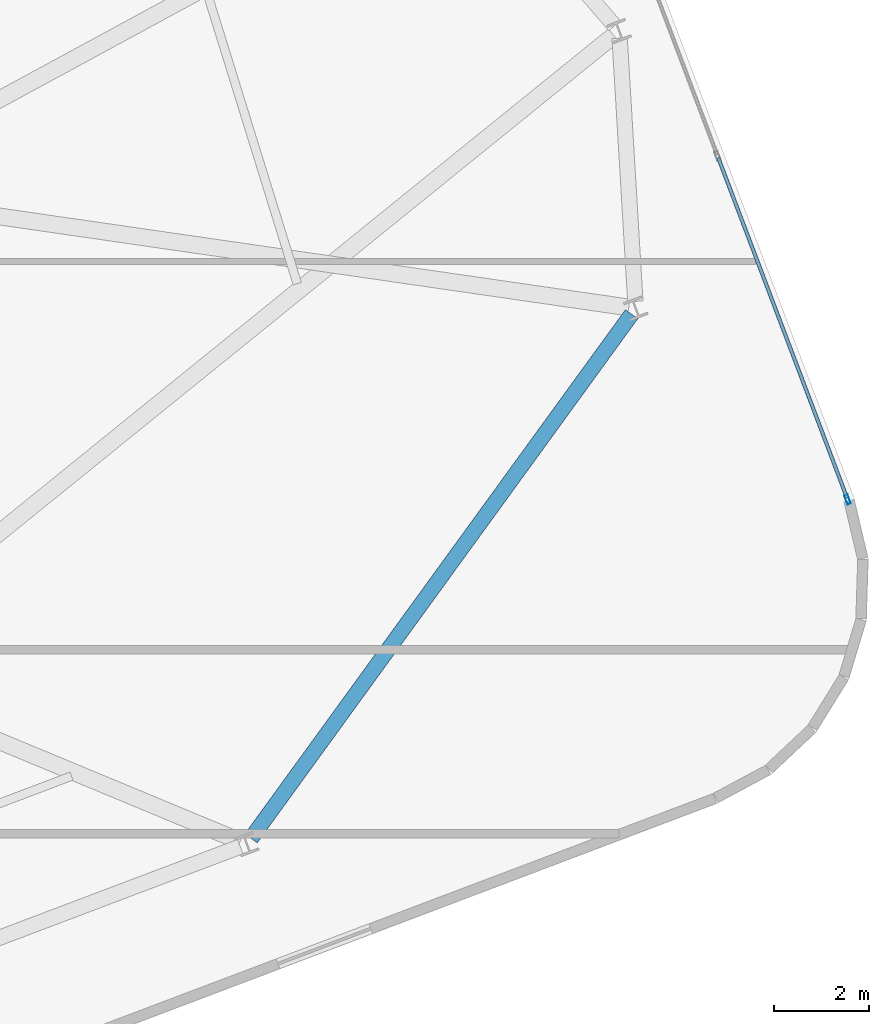
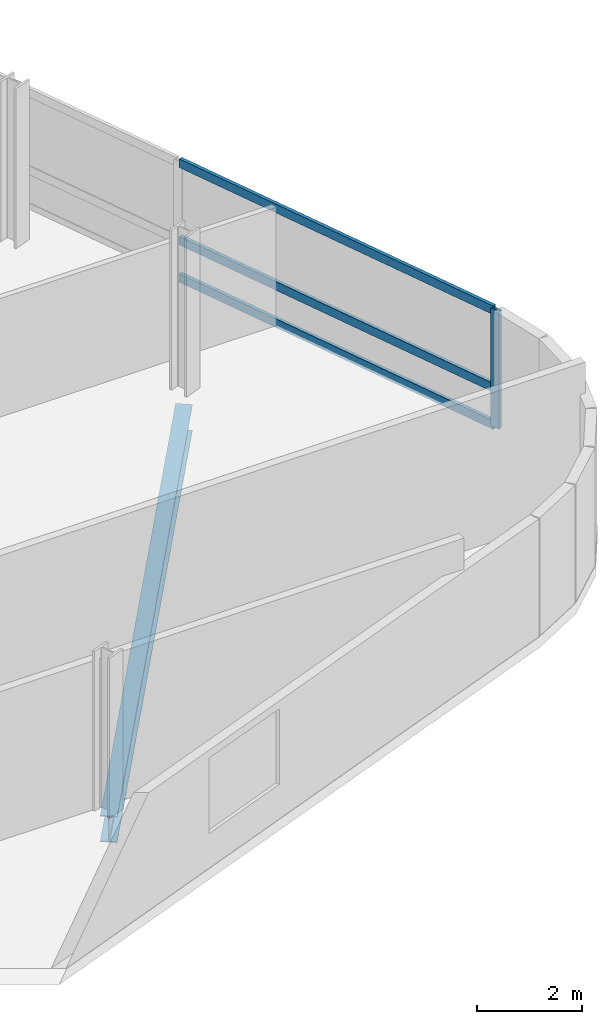
# One storey, part 11 of 19: 4 members, 1 beam, 1 element without a shape of its own.
"""IFC4 building model written with IfcOpenShell, lengths in metres."""

from ifc_helpers import new_model, si_unit, direction, frame, origin, origin_2d, place, context, subcontext, project, spatial, hollow_rectangle, i_section, extrude, material, layer, layer_set, material_profile, profile_set, type_object, element, aggregate, save


model = new_model("IFC4")

# Units and contexts
model_context = context("Model", 3, precision=1e-05, world=origin(), true_north=direction((0.0, 1.0)))
body_context = subcontext(model_context, "Body", "Model", "MODEL_VIEW")
ifc_project = project(units=[si_unit("LENGTHUNIT", "METRE"), si_unit("AREAUNIT", "SQUARE_METRE"), si_unit("VOLUMEUNIT", "CUBIC_METRE"), si_unit("PLANEANGLEUNIT", "RADIAN"), si_unit("MASSUNIT", "GRAM", prefix="KILO")], contexts=[model_context])

# Site, building, storey
site_placement = place(None, origin())
site = spatial("IfcSite", under=ifc_project, at=site_placement, CompositionType="ELEMENT")
building_placement = place(site_placement, origin())
building = spatial("IfcBuilding", under=site, at=building_placement, Name="Varnelok Gate Tower", CompositionType="ELEMENT")
storey_placement = place(building_placement, frame((0.0, 0.0, 231.199951171875)))
storey = spatial("IfcBuildingStorey", under=building, at=storey_placement, Name="L59", CompositionType="ELEMENT", Elevation=231.199951171875)

# Beam
ifc_material_1 = material(Name="Structural Steel ASTM A992 Grade 50", Category="steel")
ifc_material_profile_1 = material_profile(ifc_material_1, i_section(OverallWidth=0.323974609375, OverallDepth=0.611083984375, WebThickness=0.0126953125, FlangeThickness=0.01904296875, FilletRadius=0.01806640625, at=origin_2d()), Name="W24X104")
ifc_profile_set_1 = profile_set([ifc_material_profile_1], Name="Structural Steel ASTM A992 Grade 50")
beam_type = type_object("IfcBeamType", Name="BM-SPN-W24X104", PredefinedType="SPANDREL", material=ifc_profile_set_1)
beam_placement = place(storey_placement, frame((62.92041015625, 15.249755859375, -0.555419921875), z_axis=(0.58754084914, 0.809194507267, 0.0), x_axis=(-0.809194507267, 0.58754084914, 0.0)))
element("IfcBeam", 1, at=beam_placement, inside=storey, type_object=beam_type, Name="L59 Perimeter Spandrel Beam 5", PredefinedType="SPANDREL", context=body_context, shape_type="SweptSolid", body=[
    extrude(i_section(OverallWidth=0.323974609375, OverallDepth=0.611083984375, WebThickness=0.0126953125, FlangeThickness=0.01904296875, FilletRadius=0.01806640625, at=origin_2d()), origin(), (0.0, 0.0, 1.0), 13.695556640625),
])

# Curtain wall, members
ifc_material_2 = material(Name="Anodized Aluminum Alloy 6063-T6", Category="aluminium")
ifc_layer = layer(ifc_material_2, 0.179931640625)
ifc_layer_set = layer_set([ifc_layer], Name="Anodized Aluminum Alloy 6063-T6")
curtain_wall_type = type_object("IfcCurtainWallType", Name="CW4-RESIDENCE-VISION", PredefinedType="USERDEFINED", material=ifc_layer_set)
curtain_wall_placement = place(storey_placement, origin())
curtain_wall = element("IfcCurtainWall", 2, at=curtain_wall_placement, inside=storey, type_object=curtain_wall_type, Name="L59 East End Vision Curtain Wall", ObjectType="UNITISED CURTAIN WALL", PredefinedType="USERDEFINED")
ifc_material_profile_2 = material_profile(ifc_material_2, hollow_rectangle(XDim=0.074951171875, YDim=0.199951171875, WallThickness=0.00390625, at=origin_2d()), Name="ALU200X75X4")
ifc_profile_set_2 = profile_set([ifc_material_profile_2], Name="Anodized Aluminum Alloy 6063-T6")
member_type_1 = type_object("IfcMemberType", Name="CW-MULL-200", PredefinedType="MULLION", material=ifc_profile_set_2)
member_1_placement = place(storey_placement, frame((75.534912109375, 22.41552734375, 0.0), z_axis=(0.0, 0.0, 1.0), x_axis=(0.935221557832, 0.354063042079, 0.0)))
member_1 = element("IfcMember", 3, at=member_1_placement, type_object=member_type_1, Name="CW4 mullion 5", PredefinedType="MULLION", context=body_context, shape_type="SweptSolid", body=[
    extrude(hollow_rectangle(XDim=0.074951171875, YDim=0.199951171875, WallThickness=0.00390625, at=origin_2d()), origin(), (0.0, 0.0, 1.0), 2.72998046875),
])
ifc_material_profile_3 = material_profile(ifc_material_2, hollow_rectangle(XDim=0.074951171875, YDim=0.199951171875, WallThickness=0.00390625, at=origin_2d()), Name="ALU200X75X4")
ifc_profile_set_3 = profile_set([ifc_material_profile_3], Name="Anodized Aluminum Alloy 6063-T6")
member_type_2 = type_object("IfcMemberType", Name="CW-TRAN-200", PredefinedType="USERDEFINED", material=ifc_profile_set_3)
member_2_placement = place(storey_placement, frame((72.7998046875, 29.64013671875, 0.03759765625), z_axis=(0.354062525952, -0.935221753231, 0.0), x_axis=(0.935221753231, 0.354062525952, 0.0)))
member_2 = element("IfcMember", 4, at=member_2_placement, type_object=member_type_2, Name="CW4 transom 4.1", ObjectType="TRANSOM", PredefinedType="USERDEFINED", context=body_context, shape_type="SweptSolid", body=[
    extrude(hollow_rectangle(XDim=0.074951171875, YDim=0.199951171875, WallThickness=0.00390625, at=origin_2d()), origin(), (0.0, 0.0, 1.0), 7.687744140625),
])
member_3_placement = place(storey_placement, frame((72.7998046875, 29.64013671875, 0.900146484375), z_axis=(0.354062525952, -0.935221753231, 0.0), x_axis=(0.935221753231, 0.354062525952, 0.0)))
member_3 = element("IfcMember", 5, at=member_3_placement, type_object=member_type_2, Name="CW4 transom 4.2", ObjectType="TRANSOM", PredefinedType="USERDEFINED", context=body_context, shape_type="SweptSolid", body=[
    extrude(hollow_rectangle(XDim=0.074951171875, YDim=0.199951171875, WallThickness=0.00390625, at=origin_2d()), origin(), (0.0, 0.0, 1.0), 7.687744140625),
])
member_4_placement = place(storey_placement, frame((72.7998046875, 29.64013671875, 2.692626953125), z_axis=(0.354062525952, -0.935221753231, 0.0), x_axis=(0.935221753231, 0.354062525952, 0.0)))
member_4 = element("IfcMember", 6, at=member_4_placement, type_object=member_type_2, Name="CW4 transom 4.3", ObjectType="TRANSOM", PredefinedType="USERDEFINED", context=body_context, shape_type="SweptSolid", body=[
    extrude(hollow_rectangle(XDim=0.074951171875, YDim=0.199951171875, WallThickness=0.00390625, at=origin_2d()), origin(), (0.0, 0.0, 1.0), 7.687744140625),
])
aggregate(curtain_wall, [member_1, member_2, member_3, member_4])

save(model, "model.ifc")
